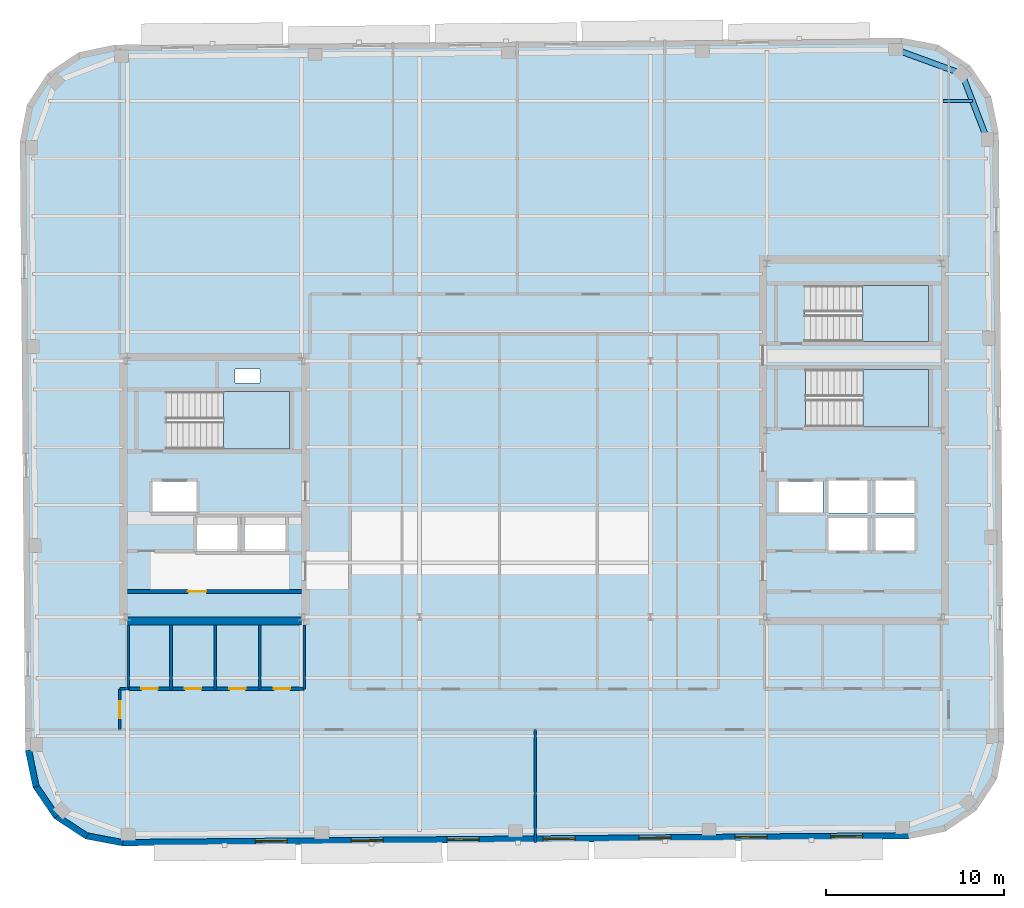
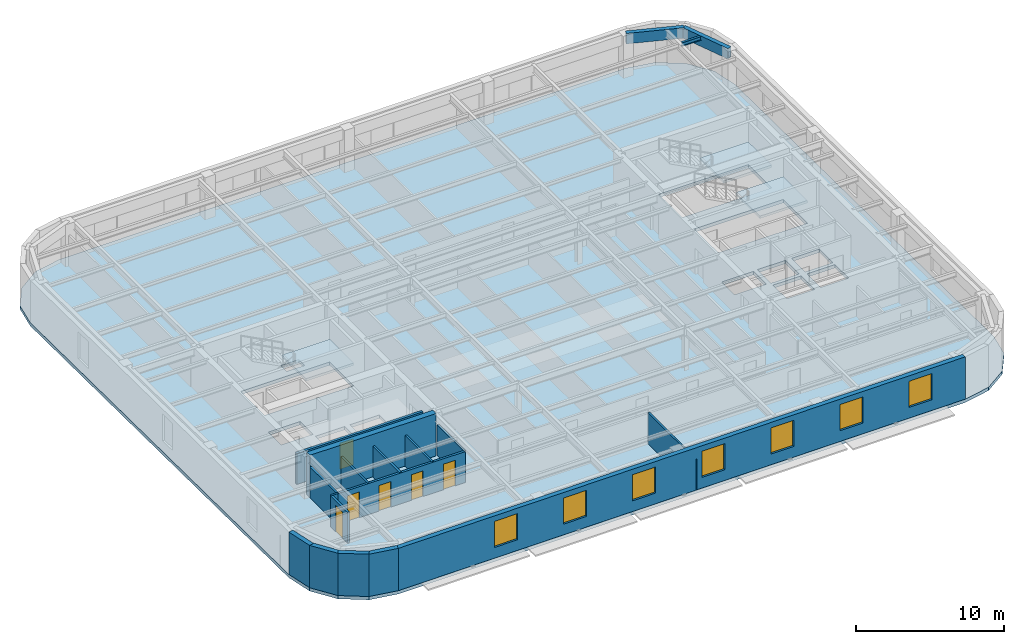
# One storey, part 6 of 14: 16 walls, 7 windows, 6 doors, 4 slabs, 3 beams, 13 openings, 3 elements without a shape of their own.
"""IFC4 building model written with IfcOpenShell, lengths in metres."""

from ifc_helpers import new_model, si_unit, direction, frame, frame_2d, origin, origin_2d, place, context, subcontext, project, spatial, polyline, rectangle, hollow_rectangle, i_section, outline, extrude, material, layer, layer_set, material_profile, profile_set, type_object, element, fill, aggregate, save


model = new_model("IFC4")

# Units and contexts
model_context = context("Model", 3, precision=1e-05, world=origin(), true_north=direction((0.0, 1.0)))
body_context = subcontext(model_context, "Body", "Model", "MODEL_VIEW")
ifc_project = project(units=[si_unit("LENGTHUNIT", "METRE"), si_unit("AREAUNIT", "SQUARE_METRE"), si_unit("VOLUMEUNIT", "CUBIC_METRE"), si_unit("PLANEANGLEUNIT", "RADIAN"), si_unit("MASSUNIT", "GRAM", prefix="KILO")], contexts=[model_context])

# Site, building, storey
site_placement = place(None, origin())
site = spatial("IfcSite", under=ifc_project, at=site_placement, CompositionType="ELEMENT")
building_placement = place(site_placement, origin())
building = spatial("IfcBuilding", under=site, at=building_placement, Name="Kolvaren Arena Tower", CompositionType="ELEMENT")
storey_placement = place(building_placement, frame((0.0, 0.0, 297.39990234375)))
storey = spatial("IfcBuildingStorey", under=building, at=storey_placement, Name="L73", CompositionType="ELEMENT", Elevation=297.39990234375)

# Beams
ifc_material_1 = material(Name="Steel CSA G40.21 350W", Category="steel")
ifc_material_profile_1 = material_profile(ifc_material_1, i_section(OverallWidth=0.1669921875, OverallDepth=0.31689453125, WebThickness=0.007568359375, FlangeThickness=0.01318359375, FilletRadius=0.010009765625, at=origin_2d()), Name="W310x52")
ifc_profile_set_1 = profile_set([ifc_material_profile_1], Name="Steel CSA G40.21 350W")
beam_type_1 = type_object("IfcBeamType", Name="JOIST-02", PredefinedType="JOIST", material=ifc_profile_set_1)
beam_placement = place(storey_placement, frame((60.464111328125, 48.5, 3.321533203125), z_axis=(1.0, 0.0, 0.0), x_axis=(0.0, 1.0, 0.0)))
element("IfcBeam", 1, at=beam_placement, inside=storey, type_object=beam_type_1, Name="Composite Floor Joist (L73)", PredefinedType="JOIST", context=body_context, shape_type="SweptSolid", body=[
    extrude(i_section(OverallWidth=0.1669921875, OverallDepth=0.31689453125, WebThickness=0.007568359375, FlangeThickness=0.01318359375, FilletRadius=0.010009765625, at=origin_2d()), origin(), (0.0, 0.0, 1.0), 1.654296875),
])
ifc_material_2 = material(Name="Steel CSA G40.21 350WT", Category="steel")
ifc_material_profile_2 = material_profile(ifc_material_2, hollow_rectangle(XDim=0.320068359375, YDim=0.860107421875, WallThickness=0.01806640625, at=origin_2d()), Name="HSS 860x320x18")
ifc_profile_set_2 = profile_set([ifc_material_profile_2], Name="Steel CSA G40.21 350WT")
beam_type_2 = type_object("IfcBeamType", Name="SPAND-02", PredefinedType="SPANDREL", material=ifc_profile_set_2)
for number, where, z_axis, x_axis, name in (
    (2, (62.952392578125, 46.333984375, 3.050048828125), (-0.359383792094, 0.933189846698, 0.0), (-0.933189846698, -0.359383792094, 0.0), "Perimeter Spandrel Beam (L73)"),
    (3, (61.52880859375, 50.030517578125, 3.050048828125), (-0.939313819882, 0.343059102458, 0.0), (-0.343059102458, -0.939313819882, 0.0), "Perimeter Spandrel Beam (L73)"),
):
    element("IfcBeam", number, at=place(storey_placement, frame(where, z_axis=z_axis, x_axis=x_axis)), inside=storey, type_object=beam_type_2, Name=name, PredefinedType="SPANDREL", context=body_context, shape_type="SweptSolid", body=[
        extrude(hollow_rectangle(XDim=0.320068359375, YDim=0.860107421875, WallThickness=0.01806640625, at=origin_2d()), origin(), (0.0, 0.0, 1.0), 3.961181640625),
    ])

# Stair, slab
ifc_material_3 = material(Name="Concrete 45 MPa", Category="concrete")
stair_type_1 = type_object("IfcStairType", Name="STAIR-CORE-165", PredefinedType="HALF_TURN_STAIR", material=ifc_material_3)
stair_1_placement = place(storey_placement, origin())
stair_1 = element("IfcStair", 4, at=stair_1_placement, inside=storey, type_object=stair_type_1, Name="L73 ST-W1", PredefinedType="HALF_TURN_STAIR")
ifc_layer_1 = layer(ifc_material_3, 0.199951171875)
ifc_layer_set_1 = layer_set([ifc_layer_1], Name="Concrete 45 MPa")
slab_type_1 = type_object("IfcSlabType", Name="SLAB-LAND", PredefinedType="LANDING", material=ifc_layer_set_1)
slab_1_placement = place(storey_placement, frame((0.0, 0.0, 1.675048828125)))
slab_1 = element("IfcSlab", 5, at=slab_1_placement, type_object=slab_type_1, Name="ST-W1 landing 1", PredefinedType="LANDING", context=body_context, shape_type="SweptSolid", body=[
    extrude(outline(polyline([(19.9599609375, 28.89990234375), (23.659912109375, 28.89990234375), (23.659912109375, 32.1298828125), (19.9599609375, 32.1298828125), (19.9599609375, 28.89990234375)])), origin(), (0.0, 0.0, 1.0), 0.199951171875),
])
aggregate(stair_1, [slab_1])

stair_2_placement = place(storey_placement, origin())
stair_2 = element("IfcStair", 6, at=stair_2_placement, inside=storey, type_object=stair_type_1, Name="L73 ST-E1", PredefinedType="HALF_TURN_STAIR")
slab_2_placement = place(storey_placement, frame((0.0, 0.0, 1.675048828125)))
slab_2 = element("IfcSlab", 7, at=slab_2_placement, type_object=slab_type_1, Name="ST-E1 landing 1", PredefinedType="LANDING", context=body_context, shape_type="SweptSolid", body=[
    extrude(outline(polyline([(55.9599609375, 30.14990234375), (59.659912109375, 30.14990234375), (59.659912109375, 33.3798828125), (55.9599609375, 33.3798828125), (55.9599609375, 30.14990234375)])), origin(), (0.0, 0.0, 1.0), 0.199951171875),
])
aggregate(stair_2, [slab_2])

stair_type_2 = type_object("IfcStairType", Name="STAIR-CORE-150", PredefinedType="HALF_TURN_STAIR", material=ifc_material_3)
stair_3_placement = place(storey_placement, origin())
stair_3 = element("IfcStair", 8, at=stair_3_placement, inside=storey, type_object=stair_type_2, Name="L73 ST-E2", PredefinedType="HALF_TURN_STAIR")
slab_3_placement = place(storey_placement, frame((0.0, 0.0, 1.675048828125)))
slab_3 = element("IfcSlab", 9, at=slab_3_placement, type_object=slab_type_1, Name="ST-E2 landing 1", PredefinedType="LANDING", context=body_context, shape_type="SweptSolid", body=[
    extrude(outline(polyline([(55.919921875, 34.949951171875), (59.659912109375, 34.949951171875), (59.659912109375, 38.10009765625), (55.919921875, 38.10009765625), (55.919921875, 34.949951171875)])), origin(), (0.0, 0.0, 1.0), 0.199951171875),
])
aggregate(stair_3, [slab_3])

# Slab
ifc_layer_2 = layer(ifc_material_3, 0.27001953125)
ifc_layer_set_2 = layer_set([ifc_layer_2], Name="Concrete 45 MPa")
slab_type_2 = type_object("IfcSlabType", Name="SLAB-OFF2", PredefinedType="FLOOR", material=ifc_layer_set_2)
slab_4_placement = place(storey_placement, frame((0.0, 0.0, -0.27001953125)))
element("IfcSlab", 10, at=slab_4_placement, inside=storey, type_object=slab_type_2, Name="L73 Primary Structural Slab", PredefinedType="FLOOR", context=body_context, shape_type="SweptSolid", body=[
    extrude(outline(polyline([(58.5458984375, 6.944091796875), (60.60888671875, 7.373291015625), (62.350341796875, 8.55908203125), (63.505615234375, 10.321044921875), (63.898681640625, 12.39111328125), (63.599365234375, 46.689697265625), (63.170166015625, 48.752685546875), (61.984375, 50.494140625), (60.222412109375, 51.6494140625), (58.15234375, 52.04248046875), (13.85400390625, 51.65576171875), (11.791259765625, 51.226806640625), (10.049560546875, 50.041015625), (8.894287109375, 48.27880859375), (8.50146484375, 46.208984375), (8.80078125, 11.91015625), (9.229736328125, 9.847412109375), (10.41552734375, 8.105712890625), (12.177490234375, 6.95068359375), (14.24755859375, 6.5576171875), (58.5458984375, 6.944091796875)]), holes=[polyline([(20.739990234375, 23.135009765625), (18.4599609375, 23.135009765625), (18.4599609375, 25.06494140625), (20.739990234375, 25.06494140625), (20.739990234375, 23.135009765625)]), polyline([(21.159912109375, 23.135009765625), (21.159912109375, 25.06494140625), (23.43994140625, 25.06494140625), (23.43994140625, 23.135009765625), (21.159912109375, 23.135009765625)]), polyline([(56.2099609375, 23.18505859375), (54.030029296875, 23.18505859375), (54.030029296875, 25.014892578125), (56.2099609375, 25.014892578125), (56.2099609375, 23.18505859375)]), polyline([(56.669921875, 23.18505859375), (56.669921875, 25.014892578125), (58.85009765625, 25.014892578125), (58.85009765625, 23.18505859375), (56.669921875, 23.18505859375)]), polyline([(54.030029296875, 25.284912109375), (54.030029296875, 27.114990234375), (56.2099609375, 27.114990234375), (56.2099609375, 25.284912109375), (54.030029296875, 25.284912109375)]), polyline([(58.85009765625, 25.284912109375), (56.669921875, 25.284912109375), (56.669921875, 27.114990234375), (58.85009765625, 27.114990234375), (58.85009765625, 25.284912109375)]), polyline([(15.9599609375, 25.3349609375), (15.9599609375, 27.06494140625), (18.43994140625, 27.06494140625), (18.43994140625, 25.3349609375), (15.9599609375, 25.3349609375)]), polyline([(53.699951171875, 25.3349609375), (51.219970703125, 25.3349609375), (51.219970703125, 27.06494140625), (53.699951171875, 27.06494140625), (53.699951171875, 25.3349609375)]), polyline([(16.735107421875, 28.89990234375), (16.735107421875, 32.1298828125), (23.659912109375, 32.1298828125), (23.659912109375, 28.89990234375), (16.735107421875, 28.89990234375)]), polyline([(52.735107421875, 30.14990234375), (52.735107421875, 33.3798828125), (59.659912109375, 33.3798828125), (59.659912109375, 30.14990234375), (52.735107421875, 30.14990234375)]), polyline([(20.60009765625, 32.6201171875), (20.60009765625, 33.39990234375), (22.0, 33.39990234375), (22.0, 32.6201171875), (20.60009765625, 32.6201171875)]), polyline([(52.695068359375, 34.949951171875), (52.695068359375, 38.10009765625), (59.659912109375, 38.10009765625), (59.659912109375, 34.949951171875), (52.695068359375, 34.949951171875)])]), origin(), (0.0, 0.0, 1.0), 0.27001953125),
])

# Wall, opening, door
ifc_material_4 = material(Name="Gypsum board acoustic assembly", Category="gypsum")
ifc_layer_3 = layer(ifc_material_4, 0.159912109375)
ifc_layer_set_3 = layer_set([ifc_layer_3], Name="Gypsum board acoustic assembly")
wall_type_1 = type_object("IfcWallType", Name="CORR-160", PredefinedType="PARTITIONING", material=ifc_layer_set_3)
wall_1_placement = place(storey_placement, frame((14.1201171875, 13.10009765625, 0.0), z_axis=(0.0, 0.0, 1.0), x_axis=(0.0, 1.0, 0.0)))
wall_1 = element("IfcWall", 11, at=wall_1_placement, inside=storey, type_object=wall_type_1, Name="Interior Partition Wall (L73)", PredefinedType="PARTITIONING", context=body_context, shape_type="SweptSolid", body=[
    extrude(rectangle(XDim=2.2998046875, YDim=0.159912109375, at=frame_2d((1.14990234375, 0.0))), origin(), (0.0, 0.0, 1.0), 2.5400390625),
])
opening_1_placement = place(wall_1_placement, frame((0.64990234375, 0.0, 0.0)))
opening_1 = element("IfcOpeningElement", 12, at=opening_1_placement, cuts=wall_1, Name="Opening D05", PredefinedType="OPENING", context=body_context, shape_type="SweptSolid", body=[
    extrude(rectangle(XDim=0.949951171875, YDim=2.14990234375, at=frame_2d((0.47509765625, 1.074951171875))), frame((0.0, 0.08984375, 0.0), z_axis=(0.0, -1.0, 0.0), x_axis=(1.0, 0.0, 0.0)), (0.0, 0.0, 1.0), 0.179931640625),
])
ifc_material_5 = material(Name="Solid-core oak acoustic office door", Category="wood")
door_type_1 = type_object("IfcDoorType", Name="DOOR-OF-095", OperationType="NOTDEFINED", PredefinedType="DOOR", material=ifc_material_5)
door_1_placement = place(opening_1_placement, origin())
door_1 = element("IfcDoor", 13, at=door_1_placement, inside=storey, type_object=door_type_1, Name="West Wing Office Door (L73)", OperationType="SINGLE_SWING_LEFT", OverallHeight=2.14990234375, OverallWidth=0.949951171875, PredefinedType="DOOR", context=body_context, shape_type="SweptSolid", body=[
    extrude(rectangle(XDim=0.949951171875, YDim=2.14990234375, at=frame_2d((0.47509765625, 1.074951171875))), frame((0.0, 0.02490234375, 0.0), z_axis=(0.0, -1.0, 0.0), x_axis=(1.0, 0.0, 0.0)), (0.0, 0.0, 1.0), 0.050048828125),
])
fill(opening_1, door_1)

# Walls
wall_2_placement = place(storey_placement, frame((14.1201171875, 15.39990234375, 0.0), z_axis=(0.0, 0.0, 1.0), x_axis=(1.0, 0.0, 0.0)))
element("IfcWall", 14, at=wall_2_placement, inside=storey, type_object=wall_type_1, Name="Interior Partition Wall (L73)", PredefinedType="PARTITIONING", context=body_context, shape_type="SweptSolid", body=[
    extrude(rectangle(XDim=0.5, YDim=0.159912109375, at=frame_2d((0.25, 0.0))), origin(), (0.0, 0.0, 1.0), 2.5400390625),
])
ifc_material_6 = material(Name="Concrete 55 MPa", Category="concrete")
ifc_layer_4 = layer(ifc_material_6, 0.449951171875)
ifc_layer_set_4 = layer_set([ifc_layer_4], Name="Concrete 55 MPa")
wall_type_2 = type_object("IfcWallType", Name="CWALL-450", PredefinedType="SHEAR", material=ifc_layer_set_4)
wall_3_placement = place(storey_placement, frame((14.550048828125, 19.22509765625, -0.27001953125), z_axis=(0.0, 0.0, 1.0), x_axis=(1.0, 0.0, 0.0)))
element("IfcWall", 15, at=wall_3_placement, inside=storey, type_object=wall_type_2, Name="Core Shear Wall WC-SOUTH (L73)", PredefinedType="SHEAR", context=body_context, shape_type="SweptSolid", body=[
    extrude(rectangle(XDim=9.800048828125, YDim=0.449951171875, at=frame_2d((4.89990234375, 0.0))), origin(), (0.0, 0.0, 1.0), 3.75),
])
ifc_material_7 = material(Name="Precast concrete C50/60", Category="concrete")
ifc_layer_5 = layer(ifc_material_7, 0.360107421875)
ifc_layer_set_5 = layer_set([ifc_layer_5], Name="Precast concrete C50/60")
wall_type_3 = type_object("IfcWallType", Name="EXT-PIER2", PredefinedType="SOLIDWALL", material=ifc_layer_set_5)
wall_4_placement = place(storey_placement, frame((9.406005859375, 9.884033203125, 0.0), z_axis=(0.0, 0.0, 1.0), x_axis=(-0.203685893209, 0.979036289883, 0.0)))
element("IfcWall", 16, at=wall_4_placement, inside=storey, type_object=wall_type_3, Name="Exterior Precast Masonry-Frame Wall (L73)", PredefinedType="SOLIDWALL", context=body_context, shape_type="SweptSolid", body=[
    extrude(rectangle(XDim=2.107177734375, YDim=0.360107421875, at=frame_2d((1.0537109375, 0.0))), origin(), (0.0, 0.0, 1.0), 3.47998046875),
])
for number, where, z_axis, x_axis, name in (
    (17, (10.564453125, 8.20703125, 0.0), (0.0, 0.0, 1.0), (-0.56277581689, 0.826609569219, 0.0), "Exterior Precast Masonry-Frame Wall (L73)"),
    (18, (12.2763671875, 7.10107421875, 0.0), (0.0, 0.0, 1.0), (-0.836268756678, 0.548319766745, 0.0), "Exterior Precast Masonry-Frame Wall (L73)"),
):
    element("IfcWall", number, at=place(storey_placement, frame(where, z_axis=z_axis, x_axis=x_axis)), inside=storey, type_object=wall_type_3, Name=name, PredefinedType="SOLIDWALL", context=body_context, shape_type="SweptSolid", body=[
        extrude(rectangle(XDim=2.10693359375, YDim=0.360107421875, at=frame_2d((1.053466796875, 0.0))), origin(), (0.0, 0.0, 1.0), 3.47998046875),
    ])
wall_5_placement = place(storey_placement, frame((14.28125, 6.734375, 0.0), z_axis=(0.0, 0.0, 1.0), x_axis=(-0.982445905584, 0.186547695246, 0.0)))
element("IfcWall", 19, at=wall_5_placement, inside=storey, type_object=wall_type_3, Name="Exterior Precast Masonry-Frame Wall (L73)", PredefinedType="SOLIDWALL", context=body_context, shape_type="SweptSolid", body=[
    extrude(rectangle(XDim=2.107177734375, YDim=0.360107421875, at=frame_2d((1.0537109375, 0.0))), origin(), (0.0, 0.0, 1.0), 3.47998046875),
])

# Wall, openings, windows
wall_6_placement = place(storey_placement, frame((58.544189453125, 7.124267578125, 0.0), z_axis=(0.0, 0.0, 1.0), x_axis=(-0.999961896442, -0.008729585516, 0.0)))
wall_6 = element("IfcWall", 20, at=wall_6_placement, inside=storey, type_object=wall_type_3, Name="Exterior Precast Masonry-Frame Wall (L73)", PredefinedType="SOLIDWALL", context=body_context, shape_type="SweptSolid", body=[
    extrude(rectangle(XDim=44.2998046875, YDim=0.360107421875, at=frame_2d((22.14990234375, 0.0))), origin(), (0.0, 0.0, 1.0), 3.47998046875),
])
opening_2_placement = place(wall_6_placement, frame((2.60009765625, 0.0, 0.8798828125)))
opening_2 = element("IfcOpeningElement", 21, at=opening_2_placement, cuts=wall_6, Name="Opening W02", PredefinedType="OPENING", context=body_context, shape_type="SweptSolid", body=[
    extrude(rectangle(XDim=1.800048828125, YDim=2.14990234375, at=frame_2d((0.89990234375, 1.074951171875))), frame((0.0, 0.18994140625, 0.0), z_axis=(0.0, -1.0, 0.0), x_axis=(1.0, 0.0, 0.0)), (0.0, 0.0, 1.0), 0.380126953125),
])
opening_3_placement = place(wall_6_placement, frame((8.0, 0.0, 0.8798828125)))
opening_3 = element("IfcOpeningElement", 22, at=opening_3_placement, cuts=wall_6, Name="Opening W02", PredefinedType="OPENING", context=body_context, shape_type="SweptSolid", body=[
    extrude(rectangle(XDim=1.800048828125, YDim=2.14990234375, at=frame_2d((0.89990234375, 1.074951171875))), frame((0.0, 0.18994140625, 0.0), z_axis=(0.0, -1.0, 0.0), x_axis=(1.0, 0.0, 0.0)), (0.0, 0.0, 1.0), 0.380126953125),
])
opening_4_placement = place(wall_6_placement, frame((13.39990234375, 0.0, 0.8798828125)))
opening_4 = element("IfcOpeningElement", 23, at=opening_4_placement, cuts=wall_6, Name="Opening W02", PredefinedType="OPENING", context=body_context, shape_type="SweptSolid", body=[
    extrude(rectangle(XDim=1.800048828125, YDim=2.14990234375, at=frame_2d((0.89990234375, 1.074951171875))), frame((0.0, 0.18994140625, 0.0), z_axis=(0.0, -1.0, 0.0), x_axis=(1.0, 0.0, 0.0)), (0.0, 0.0, 1.0), 0.380126953125),
])
opening_5_placement = place(wall_6_placement, frame((18.800048828125, 0.0, 0.8798828125)))
opening_5 = element("IfcOpeningElement", 24, at=opening_5_placement, cuts=wall_6, Name="Opening W02", PredefinedType="OPENING", context=body_context, shape_type="SweptSolid", body=[
    extrude(rectangle(XDim=1.800048828125, YDim=2.14990234375, at=frame_2d((0.89990234375, 1.074951171875))), frame((0.0, 0.18994140625, 0.0), z_axis=(0.0, -1.0, 0.0), x_axis=(1.0, 0.0, 0.0)), (0.0, 0.0, 1.0), 0.380126953125),
])
opening_6_placement = place(wall_6_placement, frame((24.199951171875, 0.0, 0.8798828125)))
opening_6 = element("IfcOpeningElement", 25, at=opening_6_placement, cuts=wall_6, Name="Opening W02", PredefinedType="OPENING", context=body_context, shape_type="SweptSolid", body=[
    extrude(rectangle(XDim=1.800048828125, YDim=2.14990234375, at=frame_2d((0.89990234375, 1.074951171875))), frame((0.0, 0.18994140625, 0.0), z_axis=(0.0, -1.0, 0.0), x_axis=(1.0, 0.0, 0.0)), (0.0, 0.0, 1.0), 0.380126953125),
])
opening_7_placement = place(wall_6_placement, frame((29.60009765625, 0.0, 0.8798828125)))
opening_7 = element("IfcOpeningElement", 26, at=opening_7_placement, cuts=wall_6, Name="Opening W02", PredefinedType="OPENING", context=body_context, shape_type="SweptSolid", body=[
    extrude(rectangle(XDim=1.800048828125, YDim=2.14990234375, at=frame_2d((0.89990234375, 1.074951171875))), frame((0.0, 0.18994140625, 0.0), z_axis=(0.0, -1.0, 0.0), x_axis=(1.0, 0.0, 0.0)), (0.0, 0.0, 1.0), 0.380126953125),
])
opening_8_placement = place(wall_6_placement, frame((35.0, 0.0, 0.8798828125)))
opening_8 = element("IfcOpeningElement", 27, at=opening_8_placement, cuts=wall_6, Name="Opening W02", PredefinedType="OPENING", context=body_context, shape_type="SweptSolid", body=[
    extrude(rectangle(XDim=1.800048828125, YDim=2.14990234375, at=frame_2d((0.89990234375, 1.074951171875))), frame((0.0, 0.18994140625, 0.0), z_axis=(0.0, -1.0, 0.0), x_axis=(1.0, 0.0, 0.0)), (0.0, 0.0, 1.0), 0.380126953125),
])
ifc_material_8 = material(Name="Triple-glazed low-E aluminium window", Category="aluminium")
window_type = type_object("IfcWindowType", Name="WIN-OFF-B", PartitioningType="DOUBLE_PANEL_VERTICAL", PredefinedType="WINDOW", material=ifc_material_8)
window_1_placement = place(opening_2_placement, origin())
window_1 = element("IfcWindow", 28, at=window_1_placement, inside=storey, type_object=window_type, Name="Punched Precast-Pier Window (L73)", OverallHeight=2.14990234375, OverallWidth=1.800048828125, PartitioningType="DOUBLE_PANEL_VERTICAL", PredefinedType="WINDOW", context=body_context, shape_type="SweptSolid", body=[
    extrude(rectangle(XDim=1.800048828125, YDim=2.14990234375, at=frame_2d((0.89990234375, 1.074951171875))), frame((0.0, 0.030029296875, 0.0), z_axis=(0.0, -1.0, 0.0), x_axis=(1.0, 0.0, 0.0)), (0.0, 0.0, 1.0), 0.06005859375),
])
fill(opening_2, window_1)
window_2_placement = place(opening_3_placement, origin())
window_2 = element("IfcWindow", 29, at=window_2_placement, inside=storey, type_object=window_type, Name="Punched Precast-Pier Window (L73)", OverallHeight=2.14990234375, OverallWidth=1.800048828125, PartitioningType="DOUBLE_PANEL_VERTICAL", PredefinedType="WINDOW", context=body_context, shape_type="SweptSolid", body=[
    extrude(rectangle(XDim=1.800048828125, YDim=2.14990234375, at=frame_2d((0.89990234375, 1.074951171875))), frame((0.0, 0.030029296875, 0.0), z_axis=(0.0, -1.0, 0.0), x_axis=(1.0, 0.0, 0.0)), (0.0, 0.0, 1.0), 0.06005859375),
])
fill(opening_3, window_2)
window_3_placement = place(opening_4_placement, origin())
window_3 = element("IfcWindow", 30, at=window_3_placement, inside=storey, type_object=window_type, Name="Punched Precast-Pier Window (L73)", OverallHeight=2.14990234375, OverallWidth=1.800048828125, PartitioningType="DOUBLE_PANEL_VERTICAL", PredefinedType="WINDOW", context=body_context, shape_type="SweptSolid", body=[
    extrude(rectangle(XDim=1.800048828125, YDim=2.14990234375, at=frame_2d((0.89990234375, 1.074951171875))), frame((0.0, 0.030029296875, 0.0), z_axis=(0.0, -1.0, 0.0), x_axis=(1.0, 0.0, 0.0)), (0.0, 0.0, 1.0), 0.06005859375),
])
fill(opening_4, window_3)
window_4_placement = place(opening_5_placement, origin())
window_4 = element("IfcWindow", 31, at=window_4_placement, inside=storey, type_object=window_type, Name="Punched Precast-Pier Window (L73)", OverallHeight=2.14990234375, OverallWidth=1.800048828125, PartitioningType="DOUBLE_PANEL_VERTICAL", PredefinedType="WINDOW", context=body_context, shape_type="SweptSolid", body=[
    extrude(rectangle(XDim=1.800048828125, YDim=2.14990234375, at=frame_2d((0.89990234375, 1.074951171875))), frame((0.0, 0.030029296875, 0.0), z_axis=(0.0, -1.0, 0.0), x_axis=(1.0, 0.0, 0.0)), (0.0, 0.0, 1.0), 0.06005859375),
])
fill(opening_5, window_4)
window_5_placement = place(opening_6_placement, origin())
window_5 = element("IfcWindow", 32, at=window_5_placement, inside=storey, type_object=window_type, Name="Punched Precast-Pier Window (L73)", OverallHeight=2.14990234375, OverallWidth=1.800048828125, PartitioningType="DOUBLE_PANEL_VERTICAL", PredefinedType="WINDOW", context=body_context, shape_type="SweptSolid", body=[
    extrude(rectangle(XDim=1.800048828125, YDim=2.14990234375, at=frame_2d((0.89990234375, 1.074951171875))), frame((0.0, 0.030029296875, 0.0), z_axis=(0.0, -1.0, 0.0), x_axis=(1.0, 0.0, 0.0)), (0.0, 0.0, 1.0), 0.06005859375),
])
fill(opening_6, window_5)
window_6_placement = place(opening_7_placement, origin())
window_6 = element("IfcWindow", 33, at=window_6_placement, inside=storey, type_object=window_type, Name="Punched Precast-Pier Window (L73)", OverallHeight=2.14990234375, OverallWidth=1.800048828125, PartitioningType="DOUBLE_PANEL_VERTICAL", PredefinedType="WINDOW", context=body_context, shape_type="SweptSolid", body=[
    extrude(rectangle(XDim=1.800048828125, YDim=2.14990234375, at=frame_2d((0.89990234375, 1.074951171875))), frame((0.0, 0.030029296875, 0.0), z_axis=(0.0, -1.0, 0.0), x_axis=(1.0, 0.0, 0.0)), (0.0, 0.0, 1.0), 0.06005859375),
])
fill(opening_7, window_6)
window_7_placement = place(opening_8_placement, origin())
window_7 = element("IfcWindow", 34, at=window_7_placement, inside=storey, type_object=window_type, Name="Punched Precast-Pier Window (L73)", OverallHeight=2.14990234375, OverallWidth=1.800048828125, PartitioningType="DOUBLE_PANEL_VERTICAL", PredefinedType="WINDOW", context=body_context, shape_type="SweptSolid", body=[
    extrude(rectangle(XDim=1.800048828125, YDim=2.14990234375, at=frame_2d((0.89990234375, 1.074951171875))), frame((0.0, 0.030029296875, 0.0), z_axis=(0.0, -1.0, 0.0), x_axis=(1.0, 0.0, 0.0)), (0.0, 0.0, 1.0), 0.06005859375),
])
fill(opening_8, window_7)

# Wall, opening, door
ifc_material_9 = material(Name="Concrete 40 MPa", Category="concrete")
ifc_layer_6 = layer(ifc_material_9, 0.199951171875)
ifc_layer_set_6 = layer_set([ifc_layer_6], Name="Concrete 40 MPa")
wall_type_4 = type_object("IfcWallType", Name="LOBBY-200", PredefinedType="SOLIDWALL", material=ifc_layer_set_6)
wall_7_placement = place(storey_placement, frame((14.550048828125, 20.8798828125, 0.0), z_axis=(0.0, 0.0, 1.0), x_axis=(1.0, 0.0, 0.0)))
wall_7 = element("IfcWall", 35, at=wall_7_placement, inside=storey, type_object=wall_type_4, Name="Core Shaft Wall (L73)", PredefinedType="SOLIDWALL", context=body_context, shape_type="SweptSolid", body=[
    extrude(rectangle(XDim=9.800048828125, YDim=0.199951171875, at=frame_2d((4.89990234375, 0.0))), origin(), (0.0, 0.0, 1.0), 2.5400390625),
])
opening_9_placement = place(wall_7_placement, frame((3.39990234375, 0.0, 0.0)))
opening_9 = element("IfcOpeningElement", 36, at=opening_9_placement, cuts=wall_7, Name="Opening D04", PredefinedType="OPENING", context=body_context, shape_type="SweptSolid", body=[
    extrude(rectangle(XDim=1.050048828125, YDim=2.14990234375, at=frame_2d((0.52490234375, 1.074951171875))), frame((0.0, 0.10986328125, 0.0), z_axis=(0.0, -1.0, 0.0), x_axis=(1.0, 0.0, 0.0)), (0.0, 0.0, 1.0), 0.219970703125),
])
ifc_material_10 = material(Name="Fire-rated steel lobby door", Category="steel")
door_type_2 = type_object("IfcDoorType", Name="DOOR-FF-105", OperationType="NOTDEFINED", PredefinedType="DOOR", material=ifc_material_10)
door_2_placement = place(opening_9_placement, origin())
door_2 = element("IfcDoor", 37, at=door_2_placement, inside=storey, type_object=door_type_2, Name="West IT Room Fire Door (L73)", OperationType="SINGLE_SWING_LEFT", OverallHeight=2.14990234375, OverallWidth=1.050048828125, PredefinedType="DOOR", context=body_context, shape_type="SweptSolid", body=[
    extrude(rectangle(XDim=1.050048828125, YDim=2.14990234375, at=frame_2d((0.52490234375, 1.074951171875))), frame((0.0, 0.02490234375, 0.0), z_axis=(0.0, -1.0, 0.0), x_axis=(1.0, 0.0, 0.0)), (0.0, 0.0, 1.0), 0.050048828125),
])
fill(opening_9, door_2)

# Walls
ifc_material_11 = material(Name="Gypsum board partition assembly", Category="gypsum")
ifc_layer_7 = layer(ifc_material_11, 0.135009765625)
ifc_layer_set_7 = layer_set([ifc_layer_7], Name="Gypsum board partition assembly")
wall_type_5 = type_object("IfcWallType", Name="PART-135", PredefinedType="PARTITIONING", material=ifc_layer_set_7)
wall_8_placement = place(storey_placement, frame((37.5, 6.760498046875, 0.0), z_axis=(0.0, 0.0, 1.0), x_axis=(0.0, 1.0, 0.0)))
element("IfcWall", 38, at=wall_8_placement, inside=storey, type_object=wall_type_5, Name="Interior Partition Wall (L73)", PredefinedType="PARTITIONING", context=body_context, shape_type="SweptSolid", body=[
    extrude(rectangle(XDim=6.339599609375, YDim=0.135009765625, at=frame_2d((3.169921875, 0.0))), origin(), (0.0, 0.0, 1.0), 2.5400390625),
])
ifc_material_12 = material(Name="Moisture-resistant gypsum assembly", Category="gypsum")
ifc_layer_8 = layer(ifc_material_12, 0.14990234375)
ifc_layer_set_8 = layer_set([ifc_layer_8], Name="Moisture-resistant gypsum assembly")
wall_type_6 = type_object("IfcWallType", Name="WETW-150", PredefinedType="PARTITIONING", material=ifc_layer_set_8)
for number, where, z_axis, x_axis, name in (
    (39, (17.0, 15.39990234375, 0.0), (0.0, 0.0, 1.0), (0.0, 1.0, 0.0), "Interior Partition Wall (L73)"),
    (40, (19.5, 15.39990234375, 0.0), (0.0, 0.0, 1.0), (0.0, 1.0, 0.0), "Interior Partition Wall (L73)"),
    (41, (22.0, 15.39990234375, 0.0), (0.0, 0.0, 1.0), (0.0, 1.0, 0.0), "Interior Partition Wall (L73)"),
):
    element("IfcWall", number, at=place(storey_placement, frame(where, z_axis=z_axis, x_axis=x_axis)), inside=storey, type_object=wall_type_6, Name=name, PredefinedType="PARTITIONING", context=body_context, shape_type="SweptSolid", body=[
        extrude(rectangle(XDim=3.580078125, YDim=0.14990234375, at=frame_2d((1.7900390625, 0.0))), origin(), (0.0, 0.0, 1.0), 2.5400390625),
    ])

# Wall, openings, doors
wall_9_placement = place(storey_placement, frame((14.60009765625, 15.39990234375, 0.0), z_axis=(0.0, 0.0, 1.0), x_axis=(1.0, 0.0, 0.0)))
wall_9 = element("IfcWall", 42, at=wall_9_placement, inside=storey, type_object=wall_type_6, Name="Interior Partition Wall (L73)", PredefinedType="PARTITIONING", context=body_context, shape_type="SweptSolid", body=[
    extrude(rectangle(XDim=9.89990234375, YDim=0.179931640625, at=frame_2d((4.949951171875, 0.0))), origin(), (0.0, 0.0, 1.0), 2.5400390625),
])
opening_10_placement = place(wall_9_placement, frame((0.739990234375, 0.0, 0.0)))
opening_10 = element("IfcOpeningElement", 43, at=opening_10_placement, cuts=wall_9, Name="Opening D07", PredefinedType="OPENING", context=body_context, shape_type="SweptSolid", body=[
    extrude(rectangle(XDim=0.919921875, YDim=2.10009765625, at=frame_2d((0.4599609375, 1.050048828125))), frame((0.0, 0.099853515625, 0.0), z_axis=(0.0, -1.0, 0.0), x_axis=(1.0, 0.0, 0.0)), (0.0, 0.0, 1.0), 0.199951171875),
])
opening_11_placement = place(wall_9_placement, frame((3.18994140625, 0.0, 0.0)))
opening_11 = element("IfcOpeningElement", 44, at=opening_11_placement, cuts=wall_9, Name="Opening D07", PredefinedType="OPENING", context=body_context, shape_type="SweptSolid", body=[
    extrude(rectangle(XDim=0.919921875, YDim=2.10009765625, at=frame_2d((0.4599609375, 1.050048828125))), frame((0.0, 0.099853515625, 0.0), z_axis=(0.0, -1.0, 0.0), x_axis=(1.0, 0.0, 0.0)), (0.0, 0.0, 1.0), 0.199951171875),
])
opening_12_placement = place(wall_9_placement, frame((5.68994140625, 0.0, 0.0)))
opening_12 = element("IfcOpeningElement", 45, at=opening_12_placement, cuts=wall_9, Name="Opening D07", PredefinedType="OPENING", context=body_context, shape_type="SweptSolid", body=[
    extrude(rectangle(XDim=0.919921875, YDim=2.10009765625, at=frame_2d((0.4599609375, 1.050048828125))), frame((0.0, 0.099853515625, 0.0), z_axis=(0.0, -1.0, 0.0), x_axis=(1.0, 0.0, 0.0)), (0.0, 0.0, 1.0), 0.199951171875),
])
opening_13_placement = place(wall_9_placement, frame((8.18994140625, 0.0, 0.0)))
opening_13 = element("IfcOpeningElement", 46, at=opening_13_placement, cuts=wall_9, Name="Opening D07", PredefinedType="OPENING", context=body_context, shape_type="SweptSolid", body=[
    extrude(rectangle(XDim=0.919921875, YDim=2.10009765625, at=frame_2d((0.4599609375, 1.050048828125))), frame((0.0, 0.099853515625, 0.0), z_axis=(0.0, -1.0, 0.0), x_axis=(1.0, 0.0, 0.0)), (0.0, 0.0, 1.0), 0.199951171875),
])
ifc_material_13 = material(Name="Laminate universal washroom door", Category="wood")
door_type_3 = type_object("IfcDoorType", Name="DOOR-WC-092", OperationType="NOTDEFINED", PredefinedType="DOOR", material=ifc_material_13)
door_3_placement = place(opening_10_placement, origin())
door_3 = element("IfcDoor", 47, at=door_3_placement, inside=storey, type_object=door_type_3, Name="Cleaner and Janitor Store Door (L73)", OperationType="SINGLE_SWING_LEFT", OverallHeight=2.10009765625, OverallWidth=0.919921875, PredefinedType="DOOR", context=body_context, shape_type="SweptSolid", body=[
    extrude(rectangle(XDim=0.919921875, YDim=2.10009765625, at=frame_2d((0.4599609375, 1.050048828125))), frame((0.0, 0.02490234375, 0.0), z_axis=(0.0, -1.0, 0.0), x_axis=(1.0, 0.0, 0.0)), (0.0, 0.0, 1.0), 0.050048828125),
])
fill(opening_10, door_3)
door_4_placement = place(opening_11_placement, origin())
door_4 = element("IfcDoor", 48, at=door_4_placement, inside=storey, type_object=door_type_3, Name="Universal Barrier-Free Washroom Door (L73)", OperationType="SINGLE_SWING_RIGHT", OverallHeight=2.10009765625, OverallWidth=0.919921875, PredefinedType="DOOR", context=body_context, shape_type="SweptSolid", body=[
    extrude(rectangle(XDim=0.919921875, YDim=2.10009765625, at=frame_2d((0.4599609375, 1.050048828125))), frame((0.0, 0.02490234375, 0.0), z_axis=(0.0, -1.0, 0.0), x_axis=(1.0, 0.0, 0.0)), (0.0, 0.0, 1.0), 0.050048828125),
])
fill(opening_11, door_4)
door_5_placement = place(opening_12_placement, origin())
door_5 = element("IfcDoor", 49, at=door_5_placement, inside=storey, type_object=door_type_3, Name="Women Restroom Door (L73)", OperationType="SINGLE_SWING_LEFT", OverallHeight=2.10009765625, OverallWidth=0.919921875, PredefinedType="DOOR", context=body_context, shape_type="SweptSolid", body=[
    extrude(rectangle(XDim=0.919921875, YDim=2.10009765625, at=frame_2d((0.4599609375, 1.050048828125))), frame((0.0, 0.02490234375, 0.0), z_axis=(0.0, -1.0, 0.0), x_axis=(1.0, 0.0, 0.0)), (0.0, 0.0, 1.0), 0.050048828125),
])
fill(opening_12, door_5)
door_6_placement = place(opening_13_placement, origin())
door_6 = element("IfcDoor", 50, at=door_6_placement, inside=storey, type_object=door_type_3, Name="Men Restroom Door (L73)", OperationType="SINGLE_SWING_RIGHT", OverallHeight=2.10009765625, OverallWidth=0.919921875, PredefinedType="DOOR", context=body_context, shape_type="SweptSolid", body=[
    extrude(rectangle(XDim=0.919921875, YDim=2.10009765625, at=frame_2d((0.4599609375, 1.050048828125))), frame((0.0, 0.02490234375, 0.0), z_axis=(0.0, -1.0, 0.0), x_axis=(1.0, 0.0, 0.0)), (0.0, 0.0, 1.0), 0.050048828125),
])
fill(opening_13, door_6)

# Walls
for number, where, z_axis, x_axis, name in (
    (51, (14.60009765625, 15.39990234375, 0.0), (0.0, 0.0, 1.0), (0.0, 1.0, 0.0), "Interior Partition Wall (L73)"),
    (52, (24.5, 15.39990234375, 0.0), (0.0, 0.0, 1.0), (0.0, 1.0, 0.0), "Interior Partition Wall (L73)"),
):
    element("IfcWall", number, at=place(storey_placement, frame(where, z_axis=z_axis, x_axis=x_axis)), inside=storey, type_object=wall_type_6, Name=name, PredefinedType="PARTITIONING", context=body_context, shape_type="SweptSolid", body=[
        extrude(rectangle(XDim=3.580078125, YDim=0.14990234375, at=frame_2d((1.7900390625, 0.0))), origin(), (0.0, 0.0, 1.0), 2.5400390625),
    ])

save(model, "model.ifc")
